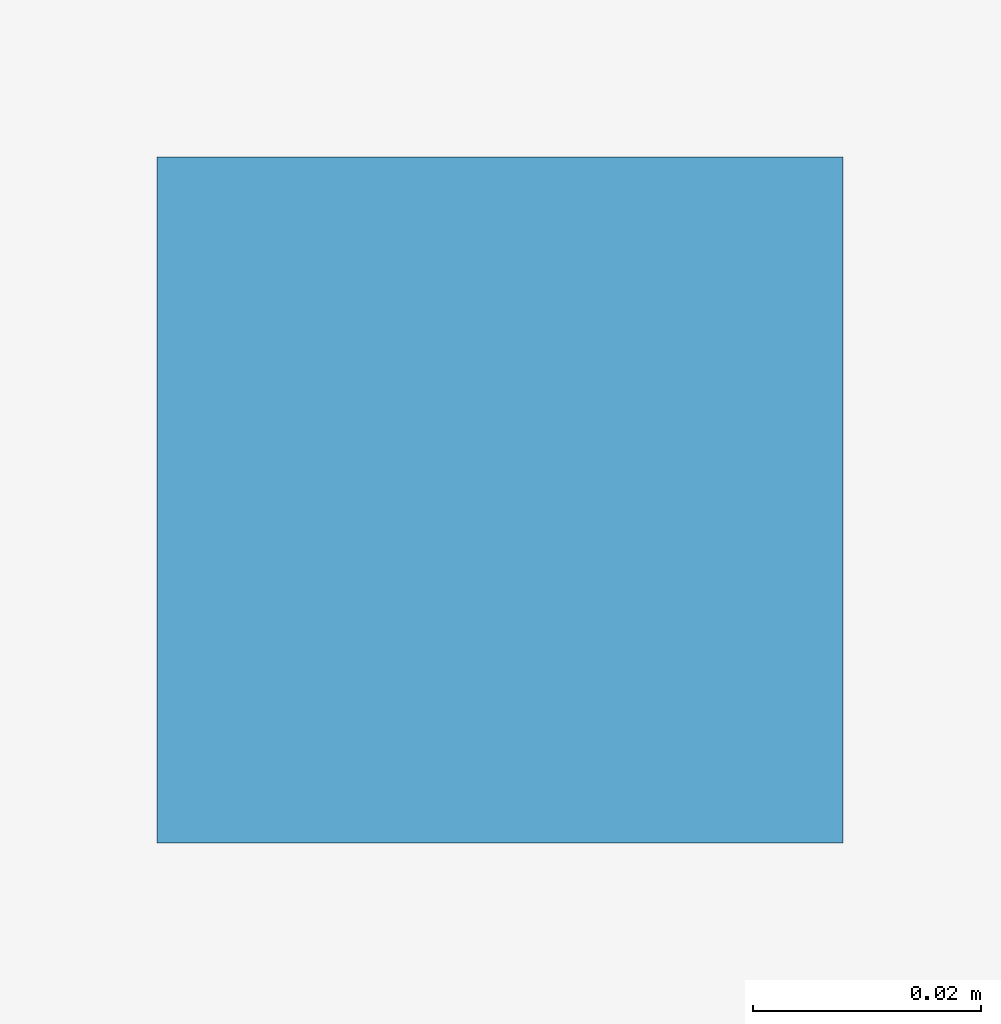
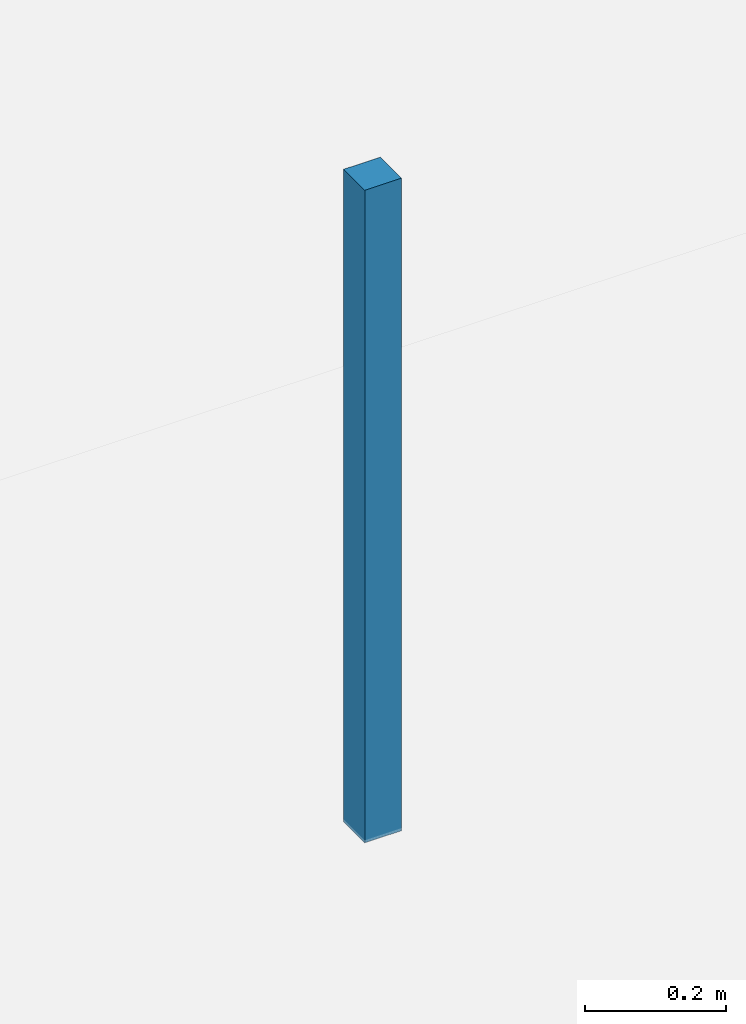
# One storey, part 124 of 139: 1 discrete accessory.
"""IFC4 building model written with IfcOpenShell, lengths in metres."""

from ifc_helpers import new_model, si_unit, derived_unit, direction, frame, origin, origin_2d, place, context, subcontext, project, spatial, rectangle, extrude, material, layer, layer_set, type_object, element, save


model = new_model("IFC4")

# Units and contexts
model_context = context("Model", 3, precision=1e-05, world=origin(), true_north=direction((0.0, 1.0)))
body_context = subcontext(model_context, "Body", "Model", "MODEL_VIEW")
ifc_project = project(units=[si_unit("LENGTHUNIT", "METRE"), si_unit("AREAUNIT", "SQUARE_METRE"), si_unit("VOLUMEUNIT", "CUBIC_METRE"), si_unit("PLANEANGLEUNIT", "RADIAN"), si_unit("MASSUNIT", "GRAM", prefix="KILO"), derived_unit("THERMALTRANSMITTANCEUNIT", [(si_unit("MASSUNIT", "GRAM", prefix="KILO"), 1), (si_unit("TIMEUNIT", "SECOND"), -3), (si_unit("THERMODYNAMICTEMPERATUREUNIT", "KELVIN"), -1)])], contexts=[model_context])

# Site, building, storey
site_placement = place(None, origin())
site = spatial("IfcSite", under=ifc_project, at=site_placement, CompositionType="ELEMENT")
building_placement = place(site_placement, origin())
building = spatial("IfcBuilding", under=site, at=building_placement, Name="Makaiwela Harbour Ferry Terminal", CompositionType="ELEMENT")
storey_placement = place(building_placement, frame((0.0, 0.0, 5.10009765625)))
storey = spatial("IfcBuildingStorey", under=building, at=storey_placement, Name="L01", CompositionType="ELEMENT", Elevation=5.10009765625)

# Discrete accessory
ifc_material = material(Name="Marine grade 316L brushed stainless steel", Category="steel")
ifc_layer = layer(ifc_material, 1.0)
ifc_layer_set = layer_set([ifc_layer], Name="Marine grade 316L brushed stainless steel")
discrete_accessory_type = type_object("IfcDiscreteAccessoryType", Name="INT-ACC-HNG", PredefinedType="BRACKET", material=ifc_layer_set)
discrete_accessory_placement = place(storey_placement, frame((158.39990234375, 47.800048828125, 3.135009765625), z_axis=(0.0, 0.0, 1.0), x_axis=(1.0, 0.0, 0.0)))
element("IfcDiscreteAccessory", 1, at=discrete_accessory_placement, inside=storey, type_object=discrete_accessory_type, Name="Ceiling Suspension Bracket HNG-045", PredefinedType="BRACKET", context=body_context, shape_type="SweptSolid", body=[
    extrude(rectangle(XDim=0.06005859375, YDim=0.06005859375, at=origin_2d()), origin(), (0.0, 0.0, 1.0), 1.1298828125),
])

save(model, "model.ifc")
